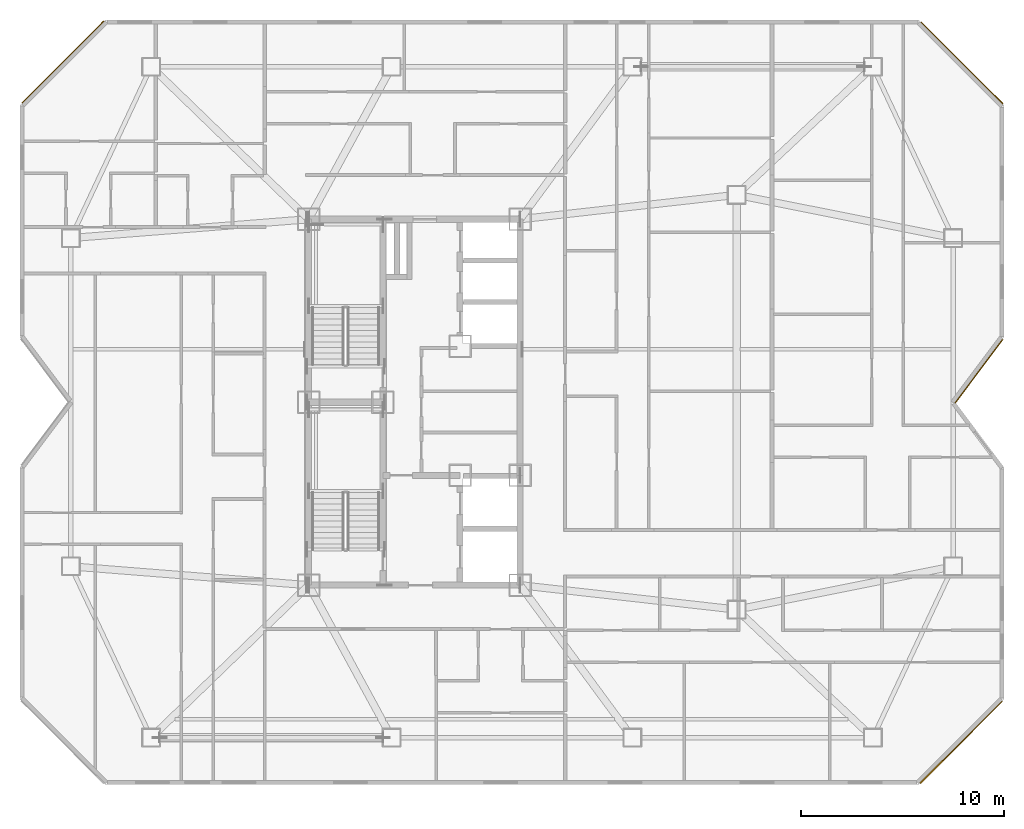
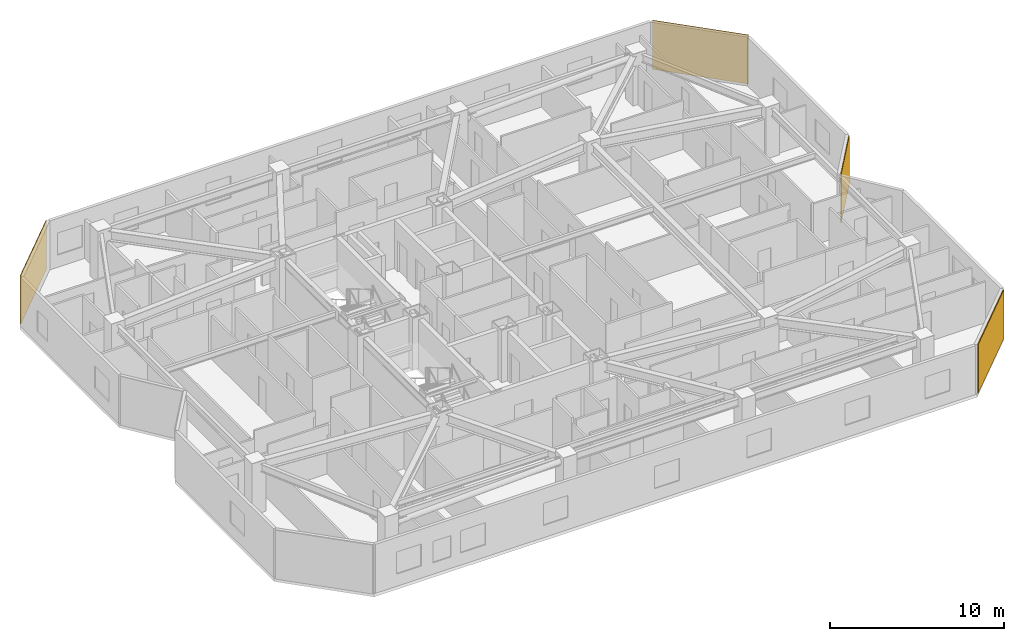
# One storey, part 13 of 13: 4 coverings.
"""IFC4 building model written with IfcOpenShell, lengths in metres."""

from ifc_helpers import new_model, si_unit, direction, frame, origin, origin_2d, place, context, subcontext, project, spatial, rectangle, extrude, material, layer, layer_set, type_object, element, save


model = new_model("IFC4")

# Units and contexts
model_context = context("Model", 3, precision=1e-05, world=origin(), true_north=direction((0.0, 1.0)))
body_context = subcontext(model_context, "Body", "Model", "MODEL_VIEW")
ifc_project = project(units=[si_unit("LENGTHUNIT", "METRE"), si_unit("AREAUNIT", "SQUARE_METRE"), si_unit("VOLUMEUNIT", "CUBIC_METRE"), si_unit("PLANEANGLEUNIT", "RADIAN"), si_unit("MASSUNIT", "GRAM", prefix="KILO")], contexts=[model_context])

# Site, building, storey
site_placement = place(None, origin())
site = spatial("IfcSite", under=ifc_project, at=site_placement, CompositionType="ELEMENT")
building_placement = place(site_placement, origin())
building = spatial("IfcBuilding", under=site, at=building_placement, Name="Khamvora Tower", CompositionType="ELEMENT")
storey_placement = place(building_placement, frame((0.0, 0.0, 196.050048828125)))
storey = spatial("IfcBuildingStorey", under=building, at=storey_placement, Name="L50", CompositionType="ELEMENT", Elevation=196.050048828125)

# Coverings
ifc_material_1 = material(Name="Pale Anodised Aluminium Rainscreen Panel", Category="aluminium")
ifc_layer_1 = layer(ifc_material_1, 0.044921875)
ifc_layer_set_1 = layer_set([ifc_layer_1], Name="Pale Anodised Aluminium Rainscreen Panel")
covering_type_1 = type_object("IfcCoveringType", Name="COV-CLD-ALU", PredefinedType="CLADDING", material=ifc_layer_set_1)
covering_1_placement = place(storey_placement, frame((16.909912109375, 44.735107421875, 0.0), z_axis=(0.0, 0.0, 1.0), x_axis=(0.707106781187, 0.707106781187, 0.0)))
element("IfcCovering", 1, at=covering_1_placement, inside=storey, type_object=covering_type_1, Name="L50 chamfer rainscreen cladding 06.1", PredefinedType="CLADDING", context=body_context, shape_type="SweptSolid", body=[
    extrude(rectangle(XDim=5.693115234375, YDim=0.044921875, at=origin_2d()), origin(), (0.0, 0.0, 1.0), 3.429931640625),
])
covering_2_placement = place(storey_placement, frame((61.135009765625, 44.69091796875, 0.0), z_axis=(0.0, 0.0, 1.0), x_axis=(0.707106781187, -0.707106781187, 0.0)))
element("IfcCovering", 2, at=covering_2_placement, inside=storey, type_object=covering_type_1, Name="L50 chamfer rainscreen cladding 08.1", PredefinedType="CLADDING", context=body_context, shape_type="SweptSolid", body=[
    extrude(rectangle(XDim=5.694091796875, YDim=0.044921875, at=origin_2d()), origin(), (0.0, 0.0, 1.0), 3.429931640625),
])
covering_3_placement = place(storey_placement, frame((61.966064453125, 29.52490234375, 0.0), z_axis=(0.0, 0.0, 1.0), x_axis=(-0.600120318085, -0.799909747298, 0.0)))
element("IfcCovering", 3, at=covering_3_placement, inside=storey, type_object=covering_type_1, Name="L50 chamfer rainscreen cladding 10.1", PredefinedType="CLADDING", context=body_context, shape_type="SweptSolid", body=[
    extrude(rectangle(XDim=3.888916015625, YDim=0.044921875, at=origin_2d()), origin(), (0.0, 0.0, 1.0), 3.429931640625),
])
ifc_material_2 = material(Name="Anodised Bronze Aluminium Spandrel Panel", Category="aluminium")
ifc_layer_2 = layer(ifc_material_2, 0.054931640625)
ifc_layer_set_2 = layer_set([ifc_layer_2], Name="Anodised Bronze Aluminium Spandrel Panel")
covering_type_2 = type_object("IfcCoveringType", Name="COV-CLD-BRZ", PredefinedType="CLADDING", material=ifc_layer_set_2)
covering_4_placement = place(storey_placement, frame((61.091064453125, 11.26611328125, 0.0), z_axis=(0.0, 0.0, 1.0), x_axis=(-0.707106781187, -0.707106781187, 0.0)))
element("IfcCovering", 4, at=covering_4_placement, inside=storey, type_object=covering_type_2, Name="L50 chamfer rainscreen cladding 13.1", PredefinedType="CLADDING", context=body_context, shape_type="SweptSolid", body=[
    extrude(rectangle(XDim=5.695068359375, YDim=0.054931640625, at=origin_2d()), origin(), (0.0, 0.0, 1.0), 3.429931640625),
])

save(model, "model.ifc")
